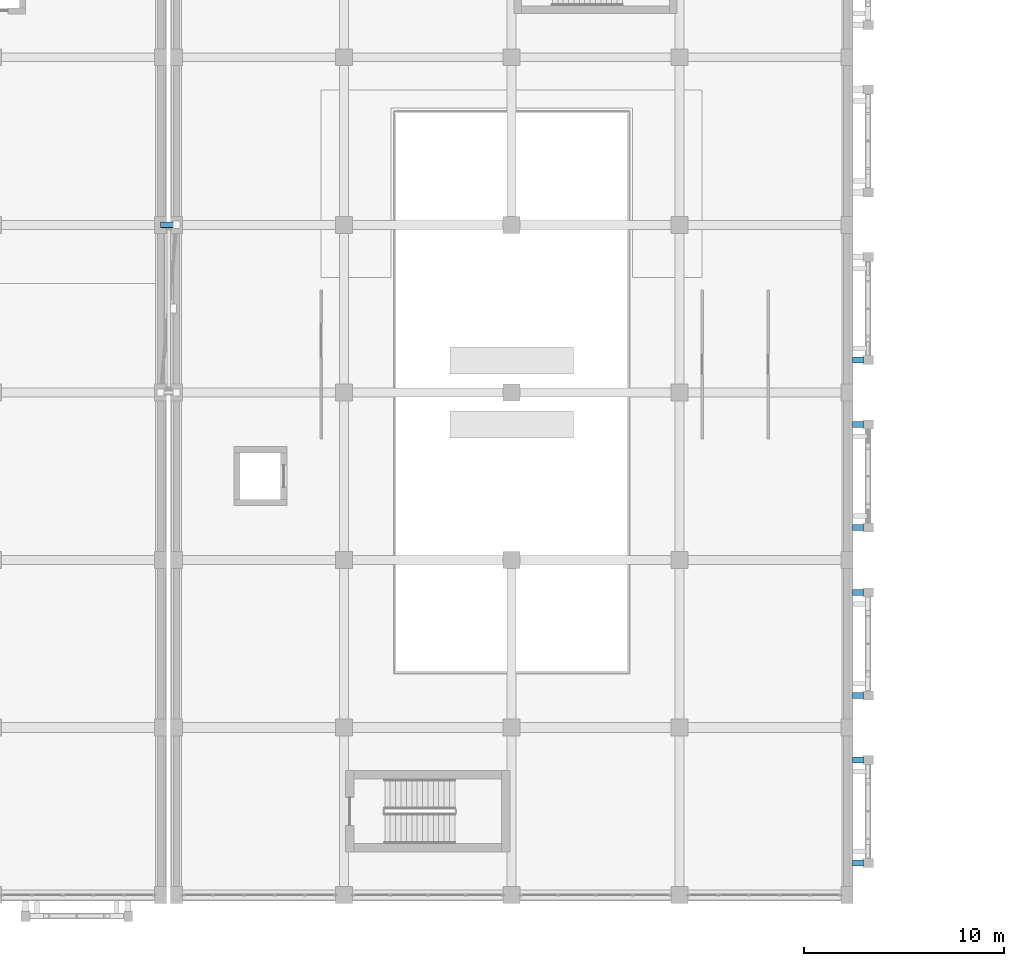
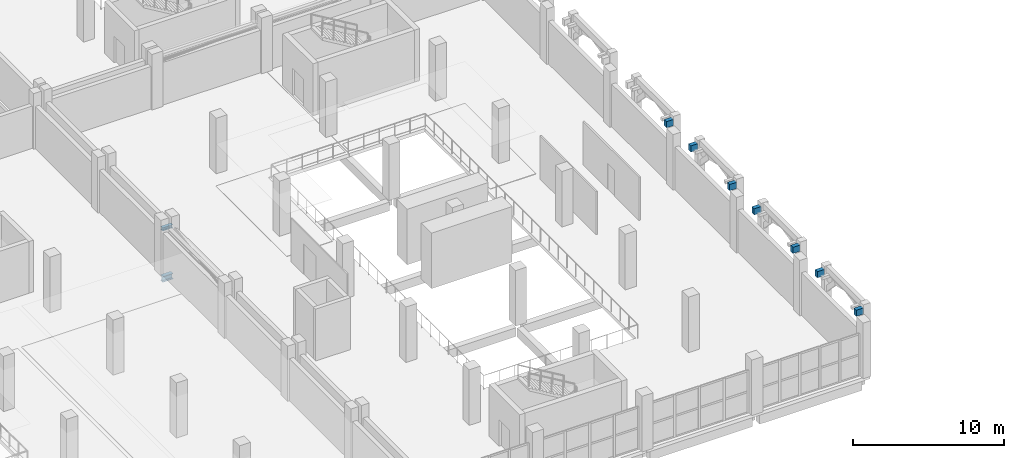
# One storey, part 79 of 137: 9 beams.
"""IFC4 building model written with IfcOpenShell, lengths in metres."""

from ifc_helpers import new_model, si_unit, direction, frame, origin, origin_2d, place, context, subcontext, project, spatial, rectangle, i_section, extrude, material, material_profile, profile_set, type_object, element, save


model = new_model("IFC4")

# Units and contexts
model_context = context("Model", 3, precision=1e-05, world=origin(), true_north=direction((0.0, 1.0)))
body_context = subcontext(model_context, "Body", "Model", "MODEL_VIEW")
ifc_project = project(units=[si_unit("LENGTHUNIT", "METRE"), si_unit("AREAUNIT", "SQUARE_METRE"), si_unit("VOLUMEUNIT", "CUBIC_METRE"), si_unit("PLANEANGLEUNIT", "RADIAN"), si_unit("MASSUNIT", "GRAM", prefix="KILO")], contexts=[model_context])

# Site, building, storey
site_placement = place(None, origin())
site = spatial("IfcSite", under=ifc_project, at=site_placement, CompositionType="ELEMENT")
building_placement = place(site_placement, origin())
building = spatial("IfcBuilding", under=site, at=building_placement, Name="Xazarin Passage Department Store", CompositionType="ELEMENT")
storey_placement = place(building_placement, frame((0.0, 0.0, 5.39990234375)))
storey = spatial("IfcBuildingStorey", under=building, at=storey_placement, Name="L01", CompositionType="ELEMENT", Elevation=5.39990234375)

# Beams
ifc_material_1 = material(Name="Steel S355", Category="steel")
ifc_material_profile_1 = material_profile(ifc_material_1, i_section(OverallWidth=0.300048828125, OverallDepth=0.449951171875, WebThickness=0.013916015625, FlangeThickness=0.02587890625, FilletRadius=0.027099609375, at=origin_2d()), Name="HEB 450")
ifc_profile_set_1 = profile_set([ifc_material_profile_1], Name="Steel S355")
beam_type_1 = type_object("IfcBeamType", Name="STR-BM-BR450", PredefinedType="BEAM", material=ifc_profile_set_1)
beam_1_placement = place(storey_placement, frame((67.199951171875, 33.60009765625, -0.56494140625), z_axis=(1.0, 0.0, 0.0), x_axis=(0.0, 1.0, 0.0)))
element("IfcBeam", 1, at=beam_1_placement, inside=storey, type_object=beam_type_1, Name="L01 BR-V2S-V3 Bridge Girder B", PredefinedType="BEAM", context=body_context, shape_type="SweptSolid", body=[
    extrude(i_section(OverallWidth=0.300048828125, OverallDepth=0.449951171875, WebThickness=0.013916015625, FlangeThickness=0.02587890625, FilletRadius=0.027099609375, at=origin_2d()), origin(), (0.0, 0.0, 1.0), 0.800048828125),
])
ifc_material_profile_2 = material_profile(ifc_material_1, i_section(OverallWidth=0.260009765625, OverallDepth=0.25, WebThickness=0.007568359375, FlangeThickness=0.012451171875, FilletRadius=0.02392578125, at=origin_2d()), Name="HEA 260")
ifc_profile_set_2 = profile_set([ifc_material_profile_2], Name="Steel S355")
beam_type_2 = type_object("IfcBeamType", Name="STR-BM-CAN260", PredefinedType="BEAM", material=ifc_profile_set_2)
beam_2_placement = place(storey_placement, frame((67.199951171875, 33.60009765625, 3.47509765625), z_axis=(1.0, 0.0, 0.0), x_axis=(0.0, 1.0, 0.0)))
element("IfcBeam", 2, at=beam_2_placement, inside=storey, type_object=beam_type_2, Name="L01 BR-V2S-V3 Bridge Roof Beam B", PredefinedType="BEAM", context=body_context, shape_type="SweptSolid", body=[
    extrude(i_section(OverallWidth=0.260009765625, OverallDepth=0.25, WebThickness=0.007568359375, FlangeThickness=0.012451171875, FilletRadius=0.02392578125, at=origin_2d()), origin(), (0.0, 0.0, 1.0), 0.800048828125),
])
ifc_material_2 = material(Name="Concrete C35/45", Category="concrete")
ifc_material_profile_3 = material_profile(ifc_material_2, rectangle(XDim=0.300048828125, YDim=0.5, at=origin_2d()), Name="RC 300x500")
ifc_profile_set_3 = profile_set([ifc_material_profile_3], Name="Concrete C35/45")
beam_type_3 = type_object("IfcBeamType", Name="STR-BM-LN300x500", PredefinedType="LINTEL", material=ifc_profile_set_3)
for number, where, z_axis, x_axis, name in (
    (3, (101.8798828125, 1.6201171875, 3.9501953125), (1.0, 0.0, 0.0), (0.0, 1.0, 0.0), "L01 V2S Colonnade Tie Rib 018L"),
    (4, (101.8798828125, 6.780029296875, 3.9501953125), (1.0, 0.0, 0.0), (0.0, 1.0, 0.0), "L01 V2S Colonnade Tie Rib 018R"),
    (5, (101.8798828125, 10.02001953125, 3.9501953125), (1.0, 0.0, 0.0), (0.0, 1.0, 0.0), "L01 V2S Colonnade Tie Rib 019L"),
    (6, (101.8798828125, 15.179931640625, 3.9501953125), (1.0, 0.0, 0.0), (0.0, 1.0, 0.0), "L01 V2S Colonnade Tie Rib 019R"),
    (7, (101.8798828125, 18.419921875, 3.9501953125), (1.0, 0.0, 0.0), (0.0, 1.0, 0.0), "L01 V2S Colonnade Tie Rib 020L"),
    (8, (101.8798828125, 23.580078125, 3.9501953125), (1.0, 0.0, 0.0), (0.0, 1.0, 0.0), "L01 V2S Colonnade Tie Rib 020R"),
    (9, (101.8798828125, 26.820068359375, 3.9501953125), (1.0, 0.0, 0.0), (0.0, 1.0, 0.0), "L01 V2S Colonnade Tie Rib 021L"),
):
    element("IfcBeam", number, at=place(storey_placement, frame(where, z_axis=z_axis, x_axis=x_axis)), inside=storey, type_object=beam_type_3, Name=name, PredefinedType="LINTEL", context=body_context, shape_type="SweptSolid", body=[
        extrude(rectangle(XDim=0.300048828125, YDim=0.5, at=origin_2d()), origin(), (0.0, 0.0, 1.0), 0.550048828125),
    ])

save(model, "model.ifc")
